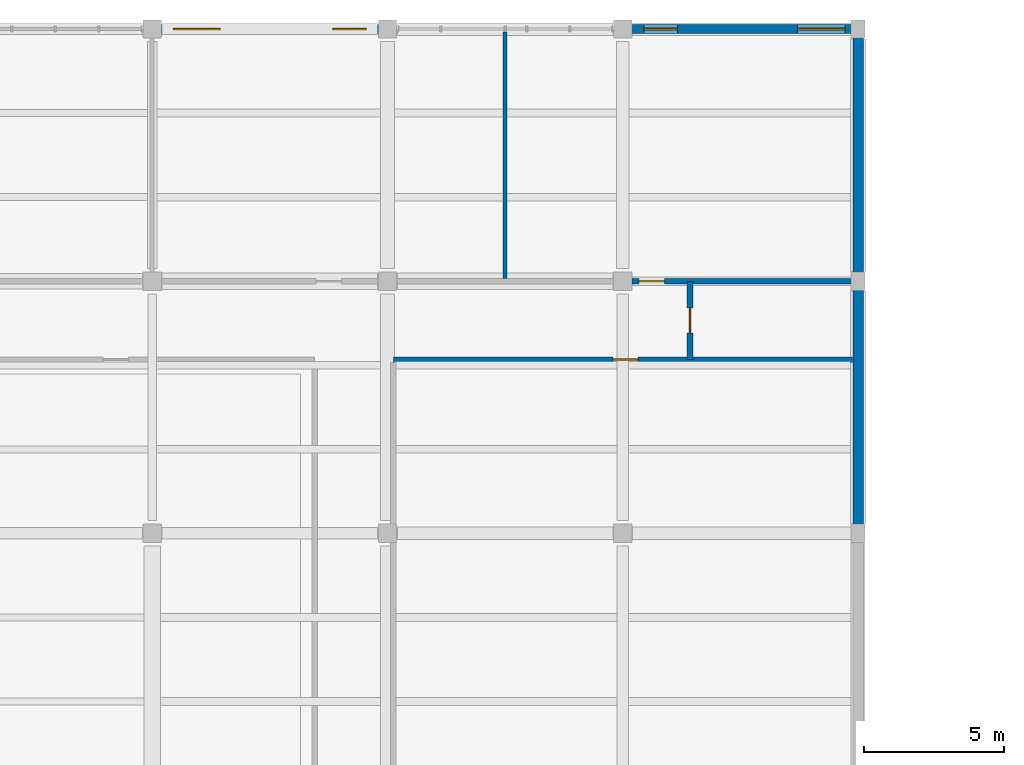
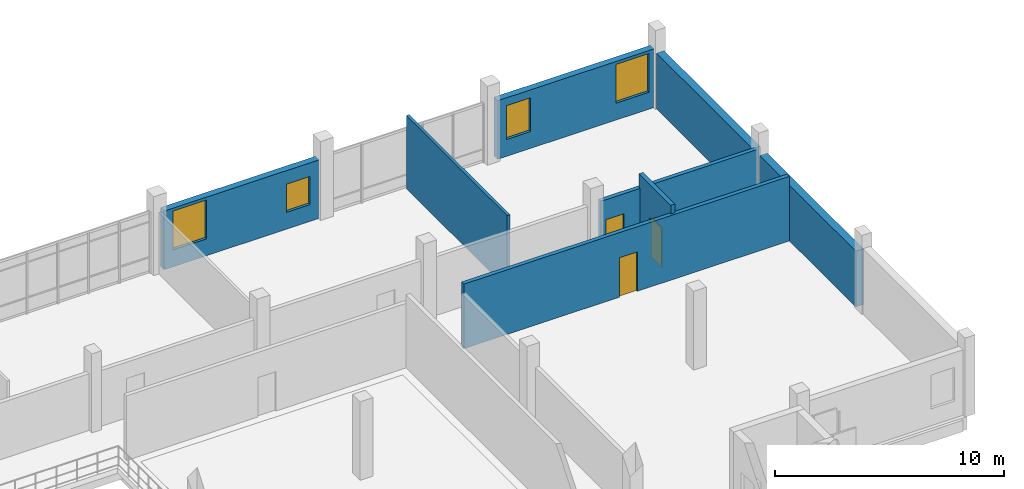
# One storey, part 90 of 101: 8 walls, 4 windows, 3 doors, 7 openings.
"""IFC4 building model written with IfcOpenShell, lengths in metres."""

from ifc_helpers import new_model, si_unit, direction, frame, frame_2d, origin, place, context, subcontext, project, spatial, rectangle, extrude, material, layer, layer_set, type_object, element, fill, save


model = new_model("IFC4")

# Units and contexts
model_context = context("Model", 3, precision=1e-05, world=origin(), true_north=direction((0.0, 1.0)))
body_context = subcontext(model_context, "Body", "Model", "MODEL_VIEW")
ifc_project = project(units=[si_unit("LENGTHUNIT", "METRE"), si_unit("AREAUNIT", "SQUARE_METRE"), si_unit("VOLUMEUNIT", "CUBIC_METRE"), si_unit("PLANEANGLEUNIT", "RADIAN"), si_unit("MASSUNIT", "GRAM", prefix="KILO")], contexts=[model_context])

# Site, building, storey
site_placement = place(None, origin())
site = spatial("IfcSite", under=ifc_project, at=site_placement, CompositionType="ELEMENT")
building_placement = place(site_placement, origin())
building = spatial("IfcBuilding", under=site, at=building_placement, Name="Vireocrest Preparatory School", CompositionType="ELEMENT")
storey_placement = place(building_placement, frame((0.0, 0.0, 4.800048828125)))
storey = spatial("IfcBuildingStorey", under=building, at=storey_placement, Name="L01", CompositionType="ELEMENT", Elevation=4.800048828125)

# Wall
ifc_material_1 = material(Name="Gypsum board on cold-formed steel studs", Category="steel")
ifc_layer_1 = layer(ifc_material_1, 0.139892578125)
ifc_layer_set_1 = layer_set([ifc_layer_1], Name="Gypsum board on cold-formed steel studs")
wall_type_1 = type_object("IfcWallType", Name="Classroom Acoustic Partition Wall 140", PredefinedType="PARTITIONING", material=ifc_layer_set_1)
wall_1_placement = place(storey_placement, frame((105.0, 103.905029296875, 0.0), z_axis=(0.0, 0.0, 1.0), x_axis=(0.0, 1.0, 0.0)))
element("IfcWall", 1, at=wall_1_placement, inside=storey, type_object=wall_type_1, Name="Interior Partition W03 IW_L01_0152", PredefinedType="PARTITIONING", context=body_context, shape_type="SweptSolid", body=[
    extrude(rectangle(XDim=8.7900390625, YDim=0.139892578125, at=frame_2d((4.39501953125, 0.0))), origin(), (0.0, 0.0, 1.0), 3.89990234375),
])

# Wall, opening, door
ifc_layer_2 = layer(ifc_material_1, 0.199951171875)
ifc_layer_set_2 = layer_set([ifc_layer_2], Name="Gypsum board on cold-formed steel studs")
wall_type_2 = type_object("IfcWallType", Name="Corridor One-Hour Fire Partition 200", PredefinedType="PARTITIONING", material=ifc_layer_set_2)
wall_2_placement = place(storey_placement, frame((111.60009765625, 101.010009765625, 0.0), z_axis=(0.0, 0.0, 1.0), x_axis=(0.0, 1.0, 0.0)))
wall_2 = element("IfcWall", 2, at=wall_2_placement, inside=storey, type_object=wall_type_2, Name="Interior Partition W06 IW_L01_0147", PredefinedType="PARTITIONING", context=body_context, shape_type="SweptSolid", body=[
    extrude(rectangle(XDim=2.780029296875, YDim=0.199951171875, at=frame_2d((1.39013671875, 0.0))), origin(), (0.0, 0.0, 1.0), 3.89990234375),
])
opening_1_placement = place(wall_2_placement, frame((0.93994140625, 0.0, 0.0)))
opening_1 = element("IfcOpeningElement", 3, at=opening_1_placement, cuts=wall_2, Name="Opening D-L01-NCEND", PredefinedType="OPENING", context=body_context, shape_type="SweptSolid", body=[
    extrude(rectangle(XDim=0.89990234375, YDim=2.10009765625, at=frame_2d((0.449951171875, 1.050048828125))), frame((0.0, 0.10986328125, 0.0), z_axis=(0.0, -1.0, 0.0), x_axis=(1.0, 0.0, 0.0)), (0.0, 0.0, 1.0), 0.219970703125),
])
ifc_material_2 = material(Name="Solid-core architectural birch timber", Category="wood")
door_type = type_object("IfcDoorType", Name="Office Timber Door 900x2100", OperationType="NOTDEFINED", PredefinedType="DOOR", material=ifc_material_2)
door_1_placement = place(opening_1_placement, origin())
door_1 = element("IfcDoor", 4, at=door_1_placement, inside=storey, type_object=door_type, Name="Interior Door D-L01-NCEND", OperationType="SINGLE_SWING_LEFT", OverallHeight=2.10009765625, OverallWidth=0.89990234375, PredefinedType="DOOR", context=body_context, shape_type="SweptSolid", body=[
    extrude(rectangle(XDim=0.89990234375, YDim=2.10009765625, at=frame_2d((0.449951171875, 1.050048828125))), frame((0.0, 0.02490234375, 0.0), z_axis=(0.0, -1.0, 0.0), x_axis=(1.0, 0.0, 0.0)), (0.0, 0.0, 1.0), 0.050048828125),
])
fill(opening_1, door_1)

wall_3_placement = place(storey_placement, frame((109.534912109375, 103.800048828125, 0.0), z_axis=(0.0, 0.0, 1.0), x_axis=(1.0, 0.0, 0.0)))
wall_3 = element("IfcWall", 5, at=wall_3_placement, inside=storey, type_object=wall_type_2, Name="Interior Partition W06 IW_L01_0161", PredefinedType="PARTITIONING", context=body_context, shape_type="SweptSolid", body=[
    extrude(rectangle(XDim=7.8701171875, YDim=0.199951171875, at=frame_2d((3.93505859375, 0.0))), origin(), (0.0, 0.0, 1.0), 3.169921875),
])
opening_2_placement = place(wall_3_placement, frame((0.25, 0.0, 0.0)))
opening_2 = element("IfcOpeningElement", 6, at=opening_2_placement, cuts=wall_3, Name="Opening D-L01-N1N06", PredefinedType="OPENING", context=body_context, shape_type="SweptSolid", body=[
    extrude(rectangle(XDim=0.89990234375, YDim=2.10009765625, at=frame_2d((0.449951171875, 1.050048828125))), frame((0.0, 0.10986328125, 0.0), z_axis=(0.0, -1.0, 0.0), x_axis=(1.0, 0.0, 0.0)), (0.0, 0.0, 1.0), 0.219970703125),
])
door_2_placement = place(opening_2_placement, origin())
door_2 = element("IfcDoor", 7, at=door_2_placement, inside=storey, type_object=door_type, Name="Interior Door D-L01-N1N06", OperationType="SINGLE_SWING_LEFT", OverallHeight=2.10009765625, OverallWidth=0.89990234375, PredefinedType="DOOR", context=body_context, shape_type="SweptSolid", body=[
    extrude(rectangle(XDim=0.89990234375, YDim=2.10009765625, at=frame_2d((0.449951171875, 1.050048828125))), frame((0.0, 0.02490234375, 0.0), z_axis=(0.0, -1.0, 0.0), x_axis=(1.0, 0.0, 0.0)), (0.0, 0.0, 1.0), 0.050048828125),
])
fill(opening_2, door_2)

wall_4_placement = place(storey_placement, frame((101.010009765625, 101.0, 0.0), z_axis=(0.0, 0.0, 1.0), x_axis=(1.0, 0.0, 0.0)))
wall_4 = element("IfcWall", 8, at=wall_4_placement, inside=storey, type_object=wall_type_2, Name="Interior Partition W06 IW_L01_0164", PredefinedType="PARTITIONING", context=body_context, shape_type="SweptSolid", body=[
    extrude(rectangle(XDim=16.39501953125, YDim=0.199951171875, at=frame_2d((8.197509765625, 0.0))), origin(), (0.0, 0.0, 1.0), 3.43994140625),
])
opening_3_placement = place(wall_4_placement, frame((7.840087890625, 0.0, 0.0)))
opening_3 = element("IfcOpeningElement", 9, at=opening_3_placement, cuts=wall_4, Name="Opening D-L01-N1SE01", PredefinedType="OPENING", context=body_context, shape_type="SweptSolid", body=[
    extrude(rectangle(XDim=0.89990234375, YDim=2.10009765625, at=frame_2d((0.449951171875, 1.050048828125))), frame((0.0, 0.10986328125, 0.0), z_axis=(0.0, -1.0, 0.0), x_axis=(1.0, 0.0, 0.0)), (0.0, 0.0, 1.0), 0.219970703125),
])
door_3_placement = place(opening_3_placement, origin())
door_3 = element("IfcDoor", 10, at=door_3_placement, inside=storey, type_object=door_type, Name="Interior Door D-L01-N1SE01", OperationType="SINGLE_SWING_LEFT", OverallHeight=2.10009765625, OverallWidth=0.89990234375, PredefinedType="DOOR", context=body_context, shape_type="SweptSolid", body=[
    extrude(rectangle(XDim=0.89990234375, YDim=2.10009765625, at=frame_2d((0.449951171875, 1.050048828125))), frame((0.0, 0.02490234375, 0.0), z_axis=(0.0, -1.0, 0.0), x_axis=(1.0, 0.0, 0.0)), (0.0, 0.0, 1.0), 0.050048828125),
])
fill(opening_3, door_3)

# Wall, openings, windows
ifc_material_3 = material(Name="Precast white concrete 40 MPa", Category="concrete")
ifc_layer_3 = layer(ifc_material_3, 0.320068359375)
ifc_layer_set_3 = layer_set([ifc_layer_3], Name="Precast white concrete 40 MPa")
wall_type_3 = type_object("IfcWallType", Name="High-Tech Insulated Rainscreen External Wall 320", PredefinedType="SOLIDWALL", material=ifc_layer_set_3)
wall_5_placement = place(storey_placement, frame((92.699951171875, 112.800048828125, 0.0), z_axis=(0.0, 0.0, 1.0), x_axis=(1.0, 0.0, 0.0)))
wall_5 = element("IfcWall", 11, at=wall_5_placement, inside=storey, type_object=wall_type_3, Name="External Wall W12 EW_L01_0171", PredefinedType="SOLIDWALL", context=body_context, shape_type="SweptSolid", body=[
    extrude(rectangle(XDim=7.800048828125, YDim=0.320068359375, at=frame_2d((3.89990234375, 0.0))), origin(), (0.0, 0.0, 1.0), 3.119873046875),
])
opening_4_placement = place(wall_5_placement, frame((0.449951171875, 0.0, 0.89990234375)))
opening_4 = element("IfcOpeningElement", 12, at=opening_4_placement, cuts=wall_5, Name="Opening WN07", PredefinedType="OPENING", context=body_context, shape_type="SweptSolid", body=[
    extrude(rectangle(XDim=1.679931640625, YDim=2.070068359375, at=frame_2d((0.83984375, 1.03515625))), frame((0.0, 0.169921875, 0.0), z_axis=(0.0, -1.0, 0.0), x_axis=(1.0, 0.0, 0.0)), (0.0, 0.0, 1.0), 0.340087890625),
])
opening_5_placement = place(wall_5_placement, frame((6.14990234375, 0.0, 0.89990234375)))
opening_5 = element("IfcOpeningElement", 13, at=opening_5_placement, cuts=wall_5, Name="Opening WN01", PredefinedType="OPENING", context=body_context, shape_type="SweptSolid", body=[
    extrude(rectangle(XDim=1.199951171875, YDim=1.5, at=frame_2d((0.60009765625, 0.75))), frame((0.0, 0.169921875, 0.0), z_axis=(0.0, -1.0, 0.0), x_axis=(1.0, 0.0, 0.0)), (0.0, 0.0, 1.0), 0.340087890625),
])
ifc_material_4 = material(Name="Thermally broken aluminium EN AW-6063-T6", Category="aluminium")
window_type_1 = type_object("IfcWindowType", Name="Module Lab Window 1680x2400", PartitioningType="SINGLE_PANEL", PredefinedType="WINDOW", material=ifc_material_4)
window_1_placement = place(opening_4_placement, origin())
window_1 = element("IfcWindow", 14, at=window_1_placement, inside=storey, type_object=window_type_1, Name="Window W-L01-068 (WN07)", OverallHeight=2.070068359375, OverallWidth=1.679931640625, PartitioningType="SINGLE_PANEL", PredefinedType="WINDOW", context=body_context, shape_type="SweptSolid", body=[
    extrude(rectangle(XDim=1.679931640625, YDim=2.070068359375, at=frame_2d((0.83984375, 1.03515625))), frame((0.0, 0.030029296875, 0.0), z_axis=(0.0, -1.0, 0.0), x_axis=(1.0, 0.0, 0.0)), (0.0, 0.0, 1.0), 0.06005859375),
])
fill(opening_4, window_1)
window_type_2 = type_object("IfcWindowType", Name="Office Punched Window 1200x1500", PartitioningType="SINGLE_PANEL", PredefinedType="WINDOW", material=ifc_material_4)
window_2_placement = place(opening_5_placement, origin())
window_2 = element("IfcWindow", 15, at=window_2_placement, inside=storey, type_object=window_type_2, Name="Window W-L01-069 (WN01)", OverallHeight=1.5, OverallWidth=1.199951171875, PartitioningType="SINGLE_PANEL", PredefinedType="WINDOW", context=body_context, shape_type="SweptSolid", body=[
    extrude(rectangle(XDim=1.199951171875, YDim=1.5, at=frame_2d((0.60009765625, 0.75))), frame((0.0, 0.030029296875, 0.0), z_axis=(0.0, -1.0, 0.0), x_axis=(1.0, 0.0, 0.0)), (0.0, 0.0, 1.0), 0.06005859375),
])
fill(opening_5, window_2)

wall_6_placement = place(storey_placement, frame((109.5, 112.800048828125, 0.0), z_axis=(0.0, 0.0, 1.0), x_axis=(1.0, 0.0, 0.0)))
wall_6 = element("IfcWall", 16, at=wall_6_placement, inside=storey, type_object=wall_type_3, Name="External Wall W12 EW_L01_0173", PredefinedType="SOLIDWALL", context=body_context, shape_type="SweptSolid", body=[
    extrude(rectangle(XDim=7.875, YDim=0.320068359375, at=frame_2d((3.9375, 0.0))), origin(), (0.0, 0.0, 1.0), 3.119873046875),
])
opening_6_placement = place(wall_6_placement, frame((0.449951171875, 0.0, 0.89990234375)))
opening_6 = element("IfcOpeningElement", 17, at=opening_6_placement, cuts=wall_6, Name="Opening WN02", PredefinedType="OPENING", context=body_context, shape_type="SweptSolid", body=[
    extrude(rectangle(XDim=1.199951171875, YDim=1.800048828125, at=frame_2d((0.60009765625, 0.89990234375))), frame((0.0, 0.169921875, 0.0), z_axis=(0.0, -1.0, 0.0), x_axis=(1.0, 0.0, 0.0)), (0.0, 0.0, 1.0), 0.340087890625),
])
opening_7_placement = place(wall_6_placement, frame((5.945068359375, 0.0, 0.89990234375)))
opening_7 = element("IfcOpeningElement", 18, at=opening_7_placement, cuts=wall_6, Name="Opening WN07", PredefinedType="OPENING", context=body_context, shape_type="SweptSolid", body=[
    extrude(rectangle(XDim=1.679931640625, YDim=2.070068359375, at=frame_2d((0.83984375, 1.03515625))), frame((0.0, 0.169921875, 0.0), z_axis=(0.0, -1.0, 0.0), x_axis=(1.0, 0.0, 0.0)), (0.0, 0.0, 1.0), 0.340087890625),
])
window_type_3 = type_object("IfcWindowType", Name="Counseling Window 1200x1800", PartitioningType="SINGLE_PANEL", PredefinedType="WINDOW", material=ifc_material_4)
window_3_placement = place(opening_6_placement, origin())
window_3 = element("IfcWindow", 19, at=window_3_placement, inside=storey, type_object=window_type_3, Name="Window W-L01-070 (WN02)", OverallHeight=1.800048828125, OverallWidth=1.199951171875, PartitioningType="SINGLE_PANEL", PredefinedType="WINDOW", context=body_context, shape_type="SweptSolid", body=[
    extrude(rectangle(XDim=1.199951171875, YDim=1.800048828125, at=frame_2d((0.60009765625, 0.89990234375))), frame((0.0, 0.030029296875, 0.0), z_axis=(0.0, -1.0, 0.0), x_axis=(1.0, 0.0, 0.0)), (0.0, 0.0, 1.0), 0.06005859375),
])
fill(opening_6, window_3)
window_4_placement = place(opening_7_placement, origin())
window_4 = element("IfcWindow", 20, at=window_4_placement, inside=storey, type_object=window_type_1, Name="Window W-L01-071 (WN07)", OverallHeight=2.070068359375, OverallWidth=1.679931640625, PartitioningType="SINGLE_PANEL", PredefinedType="WINDOW", context=body_context, shape_type="SweptSolid", body=[
    extrude(rectangle(XDim=1.679931640625, YDim=2.070068359375, at=frame_2d((0.83984375, 1.03515625))), frame((0.0, 0.030029296875, 0.0), z_axis=(0.0, -1.0, 0.0), x_axis=(1.0, 0.0, 0.0)), (0.0, 0.0, 1.0), 0.06005859375),
])
fill(opening_7, window_4)

# Walls
ifc_material_5 = material(Name="Concrete 45 MPa", Category="concrete")
ifc_layer_4 = layer(ifc_material_5, 0.3798828125)
ifc_layer_set_4 = layer_set([ifc_layer_4], Name="Concrete 45 MPa")
wall_type_4 = type_object("IfcWallType", Name="Two-Hour RC Lot-Line Shear Wall 380", PredefinedType="SHEAR", material=ifc_layer_set_4)
for number, where, z_axis, x_axis, name in (
    (21, (117.60009765625, 95.10009765625, 0.0), (0.0, 0.0, 1.0), (0.0, 1.0, 0.0), "External Wall PW1 PARTY_L01_0163"),
    (22, (117.60009765625, 104.10009765625, 0.0), (0.0, 0.0, 1.0), (0.0, 1.0, 0.0), "External Wall PW1 PARTY_L01_0164"),
):
    element("IfcWall", number, at=place(storey_placement, frame(where, z_axis=z_axis, x_axis=x_axis)), inside=storey, type_object=wall_type_4, Name=name, PredefinedType="SHEAR", context=body_context, shape_type="SweptSolid", body=[
        extrude(rectangle(XDim=8.39990234375, YDim=0.3798828125, at=frame_2d((4.199951171875, 0.0))), origin(), (0.0, 0.0, 1.0), 2.969970703125),
    ])

save(model, "model.ifc")
